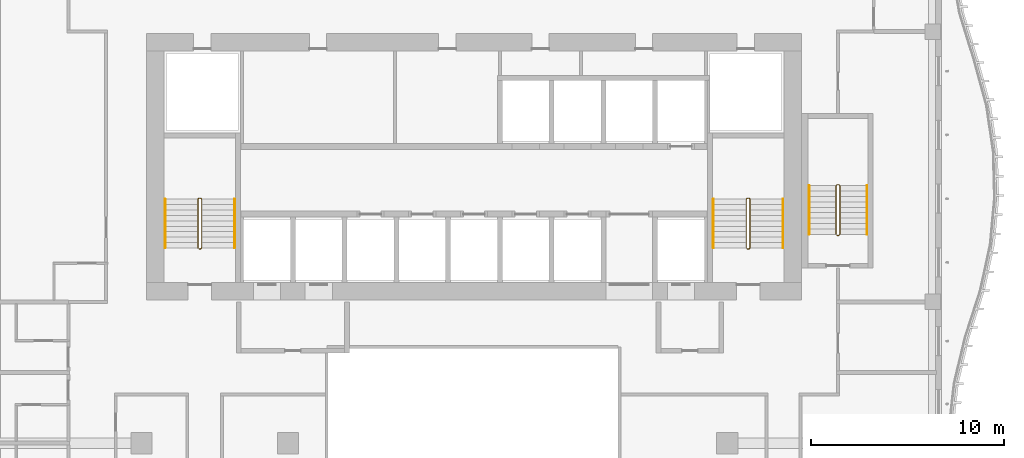
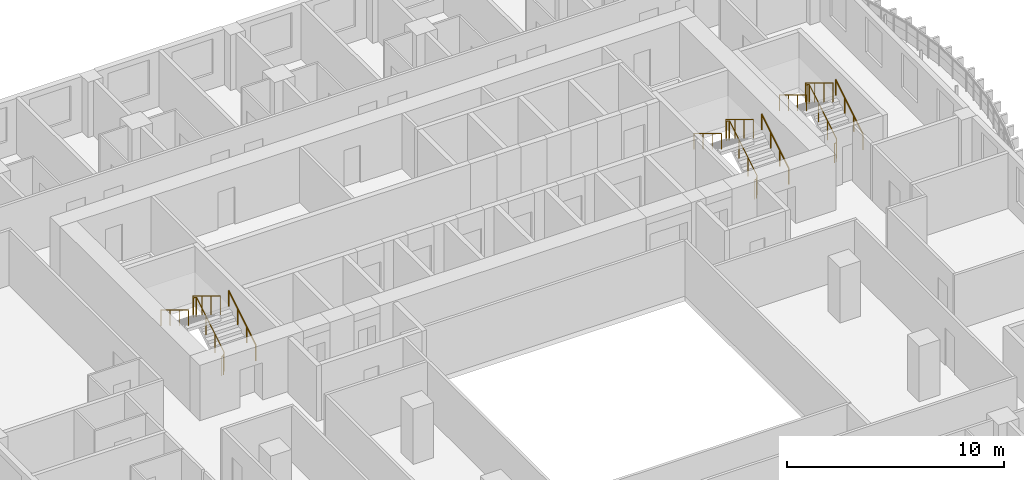
# One storey, part 20 of 21: 9 railings.
"""IFC4 building model written with IfcOpenShell, lengths in metres."""

from ifc_helpers import new_model, si_unit, direction, frame, origin, origin_2d, place, context, subcontext, project, spatial, circle, extrude, material, type_object, element, save


model = new_model("IFC4")

# Units and contexts
model_context = context("Model", 3, precision=1e-05, world=origin(), true_north=direction((0.0, 1.0)))
body_context = subcontext(model_context, "Body", "Model", "MODEL_VIEW")
ifc_project = project(units=[si_unit("LENGTHUNIT", "METRE"), si_unit("AREAUNIT", "SQUARE_METRE"), si_unit("VOLUMEUNIT", "CUBIC_METRE"), si_unit("PLANEANGLEUNIT", "RADIAN"), si_unit("MASSUNIT", "GRAM", prefix="KILO")], contexts=[model_context])

# Site, building, storey
site_placement = place(None, origin())
site = spatial("IfcSite", under=ifc_project, at=site_placement, CompositionType="ELEMENT")
building_placement = place(site_placement, origin())
building = spatial("IfcBuilding", under=site, at=building_placement, Name="Kilnfold Tower and Market Hall", CompositionType="ELEMENT")
storey_placement = place(building_placement, frame((0.0, 0.0, 147.300048828125)))
storey = spatial("IfcBuildingStorey", under=building, at=storey_placement, Name="L33", CompositionType="ELEMENT", Elevation=147.300048828125)

# Railings
ifc_material_1 = material(Name="Stainless steel 316", Category="steel")
railing_type_1 = type_object("IfcRailingType", Name="CORE STAIR GUARD 1100", PredefinedType="GUARDRAIL", material=ifc_material_1)
railing_1_placement = place(storey_placement, frame((-13.199951171875, 10.75, 0.0)))
element("IfcRailing", 1, at=railing_1_placement, inside=storey, type_object=railing_type_1, Name="L33 ST1 stair guard 1", PredefinedType="GUARDRAIL", context=body_context, shape_type="SweptSolid", body=[
    extrude(circle(Radius=0.02392578125, at=origin_2d()), frame((0.0, 0.0, 1.076171875), z_axis=(1.0, 0.0, 0.0), x_axis=(0.0, 1.0, 0.0)), (0.0, 0.0, 1.0), 0.099853515625),
    extrude(circle(Radius=0.02392578125, at=origin_2d()), frame((0.099853515625, 0.0, 1.076171875), z_axis=(0.271895245746, 0.271895245746, 0.923117517265), x_axis=(-0.707106781187, 0.707106781187, 0.0)), (0.0, 0.0, 1.0), 0.18408203125),
    extrude(circle(Radius=0.02392578125, at=origin_2d()), frame((0.14990234375, 0.050048828125, 1.24609375), z_axis=(0.0, 0.85478489116, 0.518982456201), x_axis=(-1.0, 0.0, 0.0)), (0.0, 0.0, 1.0), 2.9482421875),
    extrude(circle(Radius=0.02392578125, at=origin_2d()), frame((0.14990234375, 2.570068359375, 2.77587890625), z_axis=(-0.707106781187, 0.707106781187, 0.0), x_axis=(-0.707106781187, -0.707106781187, 0.0)), (0.0, 0.0, 1.0), 0.07080078125),
    extrude(circle(Radius=0.02392578125, at=origin_2d()), frame((0.099853515625, 2.6201171875, 2.77587890625), z_axis=(-1.0, 0.0, 0.0), x_axis=(0.0, -1.0, 0.0)), (0.0, 0.0, 1.0), 0.099853515625),
    extrude(circle(Radius=0.02392578125, at=origin_2d()), frame((0.0, 2.6201171875, 2.77587890625), z_axis=(-0.271895245746, -0.271895245746, 0.923117517265), x_axis=(0.707106781187, -0.707106781187, 0.0)), (0.0, 0.0, 1.0), 0.18408203125),
    extrude(circle(Radius=0.02392578125, at=origin_2d()), frame((-0.050048828125, 2.570068359375, 2.94580078125), z_axis=(0.0, -0.85478489116, 0.518982456201), x_axis=(1.0, 0.0, 0.0)), (0.0, 0.0, 1.0), 2.9482421875),
    extrude(circle(Radius=0.02099609375, at=origin_2d()), origin(), (0.0, 0.0, 1.0), 1.052001953125),
    extrude(circle(Radius=0.02099609375, at=origin_2d()), frame((0.099853515625, 0.0, 0.0)), (0.0, 0.0, 1.0), 1.052001953125),
    extrude(circle(Radius=0.02099609375, at=origin_2d()), frame((0.14990234375, 0.050048828125, 0.169921875)), (0.0, 0.0, 1.0), 1.052001953125),
    extrude(circle(Radius=0.02099609375, at=origin_2d()), frame((0.14990234375, 0.89013671875, 0.679931640625)), (0.0, 0.0, 1.0), 1.052001953125),
    extrude(circle(Radius=0.02099609375, at=origin_2d()), frame((0.14990234375, 1.72998046875, 1.18994140625)), (0.0, 0.0, 1.0), 1.052001953125),
    extrude(circle(Radius=0.02099609375, at=origin_2d()), frame((0.14990234375, 2.570068359375, 1.699951171875)), (0.0, 0.0, 1.0), 1.052001953125),
    extrude(circle(Radius=0.02099609375, at=origin_2d()), frame((0.099853515625, 2.6201171875, 1.699951171875)), (0.0, 0.0, 1.0), 1.052001953125),
    extrude(circle(Radius=0.02099609375, at=origin_2d()), frame((0.0, 2.6201171875, 1.699951171875)), (0.0, 0.0, 1.0), 1.052001953125),
    extrude(circle(Radius=0.02099609375, at=origin_2d()), frame((-0.050048828125, 2.570068359375, 1.869873046875)), (0.0, 0.0, 1.0), 1.052001953125),
    extrude(circle(Radius=0.02099609375, at=origin_2d()), frame((-0.050048828125, 1.72998046875, 2.3798828125)), (0.0, 0.0, 1.0), 1.052001953125),
    extrude(circle(Radius=0.02099609375, at=origin_2d()), frame((-0.050048828125, 0.89013671875, 2.889892578125)), (0.0, 0.0, 1.0), 1.052001953125),
    extrude(circle(Radius=0.02099609375, at=origin_2d()), frame((-0.050048828125, 0.050048828125, 3.39990234375)), (0.0, 0.0, 1.0), 1.052001953125),
])
railing_2_placement = place(storey_placement, frame((15.199951171875, 10.75, 0.0)))
element("IfcRailing", 2, at=railing_2_placement, inside=storey, type_object=railing_type_1, Name="L33 ST2 stair guard 1", PredefinedType="GUARDRAIL", context=body_context, shape_type="SweptSolid", body=[
    extrude(circle(Radius=0.02392578125, at=origin_2d()), frame((0.0, 0.0, 1.076171875), z_axis=(1.0, 0.0, 0.0), x_axis=(0.0, 1.0, 0.0)), (0.0, 0.0, 1.0), 0.10009765625),
    extrude(circle(Radius=0.02392578125, at=origin_2d()), frame((0.10009765625, 0.0, 1.076171875), z_axis=(0.271895245746, 0.271895245746, 0.923117517265), x_axis=(-0.707106781187, 0.707106781187, 0.0)), (0.0, 0.0, 1.0), 0.18408203125),
    extrude(circle(Radius=0.02392578125, at=origin_2d()), frame((0.150146484375, 0.050048828125, 1.24609375), z_axis=(0.0, 0.85478489116, 0.518982456201), x_axis=(-1.0, 0.0, 0.0)), (0.0, 0.0, 1.0), 2.9482421875),
    extrude(circle(Radius=0.02392578125, at=origin_2d()), frame((0.150146484375, 2.570068359375, 2.77587890625), z_axis=(-0.707106781187, 0.707106781187, 0.0), x_axis=(-0.707106781187, -0.707106781187, 0.0)), (0.0, 0.0, 1.0), 0.07080078125),
    extrude(circle(Radius=0.02392578125, at=origin_2d()), frame((0.10009765625, 2.6201171875, 2.77587890625), z_axis=(-1.0, 0.0, 0.0), x_axis=(0.0, -1.0, 0.0)), (0.0, 0.0, 1.0), 0.10009765625),
    extrude(circle(Radius=0.02392578125, at=origin_2d()), frame((0.0, 2.6201171875, 2.77587890625), z_axis=(-0.271895245746, -0.271895245746, 0.923117517265), x_axis=(0.707106781187, -0.707106781187, 0.0)), (0.0, 0.0, 1.0), 0.18408203125),
    extrude(circle(Radius=0.02392578125, at=origin_2d()), frame((-0.050048828125, 2.570068359375, 2.94580078125), z_axis=(0.0, -0.85478489116, 0.518982456201), x_axis=(1.0, 0.0, 0.0)), (0.0, 0.0, 1.0), 2.9482421875),
    extrude(circle(Radius=0.02099609375, at=origin_2d()), origin(), (0.0, 0.0, 1.0), 1.052001953125),
    extrude(circle(Radius=0.02099609375, at=origin_2d()), frame((0.10009765625, 0.0, 0.0)), (0.0, 0.0, 1.0), 1.052001953125),
    extrude(circle(Radius=0.02099609375, at=origin_2d()), frame((0.150146484375, 0.050048828125, 0.169921875)), (0.0, 0.0, 1.0), 1.052001953125),
    extrude(circle(Radius=0.02099609375, at=origin_2d()), frame((0.150146484375, 0.89013671875, 0.679931640625)), (0.0, 0.0, 1.0), 1.052001953125),
    extrude(circle(Radius=0.02099609375, at=origin_2d()), frame((0.150146484375, 1.72998046875, 1.18994140625)), (0.0, 0.0, 1.0), 1.052001953125),
    extrude(circle(Radius=0.02099609375, at=origin_2d()), frame((0.150146484375, 2.570068359375, 1.699951171875)), (0.0, 0.0, 1.0), 1.052001953125),
    extrude(circle(Radius=0.02099609375, at=origin_2d()), frame((0.10009765625, 2.6201171875, 1.699951171875)), (0.0, 0.0, 1.0), 1.052001953125),
    extrude(circle(Radius=0.02099609375, at=origin_2d()), frame((0.0, 2.6201171875, 1.699951171875)), (0.0, 0.0, 1.0), 1.052001953125),
    extrude(circle(Radius=0.02099609375, at=origin_2d()), frame((-0.050048828125, 2.570068359375, 1.869873046875)), (0.0, 0.0, 1.0), 1.052001953125),
    extrude(circle(Radius=0.02099609375, at=origin_2d()), frame((-0.050048828125, 1.72998046875, 2.3798828125)), (0.0, 0.0, 1.0), 1.052001953125),
    extrude(circle(Radius=0.02099609375, at=origin_2d()), frame((-0.050048828125, 0.89013671875, 2.889892578125)), (0.0, 0.0, 1.0), 1.052001953125),
    extrude(circle(Radius=0.02099609375, at=origin_2d()), frame((-0.050048828125, 0.050048828125, 3.39990234375)), (0.0, 0.0, 1.0), 1.052001953125),
])
railing_3_placement = place(storey_placement, frame((19.85009765625, 11.449951171875, 0.0)))
element("IfcRailing", 3, at=railing_3_placement, inside=storey, type_object=railing_type_1, Name="L33 ST5 stair guard 1", PredefinedType="GUARDRAIL", context=body_context, shape_type="SweptSolid", body=[
    extrude(circle(Radius=0.02392578125, at=origin_2d()), frame((0.0, 0.0, 1.076171875), z_axis=(1.0, 0.0, 0.0), x_axis=(0.0, 1.0, 0.0)), (0.0, 0.0, 1.0), 0.099853515625),
    extrude(circle(Radius=0.02392578125, at=origin_2d()), frame((0.099853515625, 0.0, 1.076171875), z_axis=(0.271895245746, 0.271895245746, 0.923117517265), x_axis=(-0.707106781187, 0.707106781187, 0.0)), (0.0, 0.0, 1.0), 0.18408203125),
    extrude(circle(Radius=0.02392578125, at=origin_2d()), frame((0.14990234375, 0.050048828125, 1.24609375), z_axis=(0.0, 0.85478489116, 0.518982456201), x_axis=(-1.0, 0.0, 0.0)), (0.0, 0.0, 1.0), 2.9482421875),
    extrude(circle(Radius=0.02392578125, at=origin_2d()), frame((0.14990234375, 2.570068359375, 2.77587890625), z_axis=(-0.707106781187, 0.707106781187, 0.0), x_axis=(-0.707106781187, -0.707106781187, 0.0)), (0.0, 0.0, 1.0), 0.07080078125),
    extrude(circle(Radius=0.02392578125, at=origin_2d()), frame((0.099853515625, 2.6201171875, 2.77587890625), z_axis=(-1.0, 0.0, 0.0), x_axis=(0.0, -1.0, 0.0)), (0.0, 0.0, 1.0), 0.099853515625),
    extrude(circle(Radius=0.02392578125, at=origin_2d()), frame((0.0, 2.6201171875, 2.77587890625), z_axis=(-0.271895245746, -0.271895245746, 0.923117517265), x_axis=(0.707106781187, -0.707106781187, 0.0)), (0.0, 0.0, 1.0), 0.18408203125),
    extrude(circle(Radius=0.02392578125, at=origin_2d()), frame((-0.050048828125, 2.570068359375, 2.94580078125), z_axis=(0.0, -0.85478489116, 0.518982456201), x_axis=(1.0, 0.0, 0.0)), (0.0, 0.0, 1.0), 2.9482421875),
    extrude(circle(Radius=0.02099609375, at=origin_2d()), origin(), (0.0, 0.0, 1.0), 1.052001953125),
    extrude(circle(Radius=0.02099609375, at=origin_2d()), frame((0.099853515625, 0.0, 0.0)), (0.0, 0.0, 1.0), 1.052001953125),
    extrude(circle(Radius=0.02099609375, at=origin_2d()), frame((0.14990234375, 0.050048828125, 0.169921875)), (0.0, 0.0, 1.0), 1.052001953125),
    extrude(circle(Radius=0.02099609375, at=origin_2d()), frame((0.14990234375, 0.89013671875, 0.679931640625)), (0.0, 0.0, 1.0), 1.052001953125),
    extrude(circle(Radius=0.02099609375, at=origin_2d()), frame((0.14990234375, 1.72998046875, 1.18994140625)), (0.0, 0.0, 1.0), 1.052001953125),
    extrude(circle(Radius=0.02099609375, at=origin_2d()), frame((0.14990234375, 2.570068359375, 1.699951171875)), (0.0, 0.0, 1.0), 1.052001953125),
    extrude(circle(Radius=0.02099609375, at=origin_2d()), frame((0.099853515625, 2.6201171875, 1.699951171875)), (0.0, 0.0, 1.0), 1.052001953125),
    extrude(circle(Radius=0.02099609375, at=origin_2d()), frame((0.0, 2.6201171875, 1.699951171875)), (0.0, 0.0, 1.0), 1.052001953125),
    extrude(circle(Radius=0.02099609375, at=origin_2d()), frame((-0.050048828125, 2.570068359375, 1.869873046875)), (0.0, 0.0, 1.0), 1.052001953125),
    extrude(circle(Radius=0.02099609375, at=origin_2d()), frame((-0.050048828125, 1.72998046875, 2.3798828125)), (0.0, 0.0, 1.0), 1.052001953125),
    extrude(circle(Radius=0.02099609375, at=origin_2d()), frame((-0.050048828125, 0.89013671875, 2.889892578125)), (0.0, 0.0, 1.0), 1.052001953125),
    extrude(circle(Radius=0.02099609375, at=origin_2d()), frame((-0.050048828125, 0.050048828125, 3.39990234375)), (0.0, 0.0, 1.0), 1.052001953125),
])
ifc_material_2 = material(Name="Stainless steel 316", Category="steel")
railing_type_2 = type_object("IfcRailingType", Name="CORE STAIR HANDRAIL 900", PredefinedType="HANDRAIL", material=ifc_material_2)
railing_4_placement = place(storey_placement, frame((-11.35009765625, 10.800048828125, 0.169921875)))
element("IfcRailing", 4, at=railing_4_placement, inside=storey, type_object=railing_type_2, Name="L33 ST1 stair handrail 1", PredefinedType="HANDRAIL", context=body_context, shape_type="SweptSolid", body=[
    extrude(circle(Radius=0.02392578125, at=origin_2d()), frame((0.0, 0.0, 0.8759765625), z_axis=(0.0, 0.85478489116, 0.518982456201), x_axis=(-1.0, 0.0, 0.0)), (0.0, 0.0, 1.0), 2.9482421875),
    extrude(circle(Radius=0.02099609375, at=origin_2d()), origin(), (0.0, 0.0, 1.0), 0.851806640625),
    extrude(circle(Radius=0.02099609375, at=origin_2d()), frame((0.0, 0.840087890625, 0.510009765625)), (0.0, 0.0, 1.0), 0.851806640625),
    extrude(circle(Radius=0.02099609375, at=origin_2d()), frame((0.0, 1.679931640625, 1.02001953125)), (0.0, 0.0, 1.0), 0.851806640625),
    extrude(circle(Radius=0.02099609375, at=origin_2d()), frame((0.0, 2.52001953125, 1.530029296875)), (0.0, 0.0, 1.0), 0.851806640625),
])
railing_5_placement = place(storey_placement, frame((-14.949951171875, 13.320068359375, 1.869873046875)))
element("IfcRailing", 5, at=railing_5_placement, inside=storey, type_object=railing_type_2, Name="L33 ST1 stair handrail 2", PredefinedType="HANDRAIL", context=body_context, shape_type="SweptSolid", body=[
    extrude(circle(Radius=0.02392578125, at=origin_2d()), frame((0.0, 0.0, 0.8759765625), z_axis=(0.0, -0.85478489116, 0.518982456201), x_axis=(1.0, 0.0, 0.0)), (0.0, 0.0, 1.0), 2.9482421875),
    extrude(circle(Radius=0.02099609375, at=origin_2d()), origin(), (0.0, 0.0, 1.0), 0.851806640625),
    extrude(circle(Radius=0.02099609375, at=origin_2d()), frame((0.0, -0.840087890625, 0.510009765625)), (0.0, 0.0, 1.0), 0.851806640625),
    extrude(circle(Radius=0.02099609375, at=origin_2d()), frame((0.0, -1.679931640625, 1.02001953125)), (0.0, 0.0, 1.0), 0.851806640625),
    extrude(circle(Radius=0.02099609375, at=origin_2d()), frame((0.0, -2.52001953125, 1.530029296875)), (0.0, 0.0, 1.0), 0.851806640625),
])
railing_6_placement = place(storey_placement, frame((17.050048828125, 10.800048828125, 0.169921875)))
element("IfcRailing", 6, at=railing_6_placement, inside=storey, type_object=railing_type_2, Name="L33 ST2 stair handrail 1", PredefinedType="HANDRAIL", context=body_context, shape_type="SweptSolid", body=[
    extrude(circle(Radius=0.02392578125, at=origin_2d()), frame((0.0, 0.0, 0.8759765625), z_axis=(0.0, 0.85478489116, 0.518982456201), x_axis=(-1.0, 0.0, 0.0)), (0.0, 0.0, 1.0), 2.9482421875),
    extrude(circle(Radius=0.02099609375, at=origin_2d()), origin(), (0.0, 0.0, 1.0), 0.851806640625),
    extrude(circle(Radius=0.02099609375, at=origin_2d()), frame((0.0, 0.840087890625, 0.510009765625)), (0.0, 0.0, 1.0), 0.851806640625),
    extrude(circle(Radius=0.02099609375, at=origin_2d()), frame((0.0, 1.679931640625, 1.02001953125)), (0.0, 0.0, 1.0), 0.851806640625),
    extrude(circle(Radius=0.02099609375, at=origin_2d()), frame((0.0, 2.52001953125, 1.530029296875)), (0.0, 0.0, 1.0), 0.851806640625),
])
railing_7_placement = place(storey_placement, frame((13.449951171875, 13.320068359375, 1.869873046875)))
element("IfcRailing", 7, at=railing_7_placement, inside=storey, type_object=railing_type_2, Name="L33 ST2 stair handrail 2", PredefinedType="HANDRAIL", context=body_context, shape_type="SweptSolid", body=[
    extrude(circle(Radius=0.02392578125, at=origin_2d()), frame((0.0, 0.0, 0.8759765625), z_axis=(0.0, -0.85478489116, 0.518982456201), x_axis=(1.0, 0.0, 0.0)), (0.0, 0.0, 1.0), 2.9482421875),
    extrude(circle(Radius=0.02099609375, at=origin_2d()), origin(), (0.0, 0.0, 1.0), 0.851806640625),
    extrude(circle(Radius=0.02099609375, at=origin_2d()), frame((0.0, -0.840087890625, 0.510009765625)), (0.0, 0.0, 1.0), 0.851806640625),
    extrude(circle(Radius=0.02099609375, at=origin_2d()), frame((0.0, -1.679931640625, 1.02001953125)), (0.0, 0.0, 1.0), 0.851806640625),
    extrude(circle(Radius=0.02099609375, at=origin_2d()), frame((0.0, -2.52001953125, 1.530029296875)), (0.0, 0.0, 1.0), 0.851806640625),
])
railing_8_placement = place(storey_placement, frame((21.39990234375, 11.5, 0.169921875)))
element("IfcRailing", 8, at=railing_8_placement, inside=storey, type_object=railing_type_2, Name="L33 ST5 stair handrail 1", PredefinedType="HANDRAIL", context=body_context, shape_type="SweptSolid", body=[
    extrude(circle(Radius=0.02392578125, at=origin_2d()), frame((0.0, 0.0, 0.8759765625), z_axis=(0.0, 0.85478489116, 0.518982456201), x_axis=(-1.0, 0.0, 0.0)), (0.0, 0.0, 1.0), 2.9482421875),
    extrude(circle(Radius=0.02099609375, at=origin_2d()), origin(), (0.0, 0.0, 1.0), 0.851806640625),
    extrude(circle(Radius=0.02099609375, at=origin_2d()), frame((0.0, 0.840087890625, 0.510009765625)), (0.0, 0.0, 1.0), 0.851806640625),
    extrude(circle(Radius=0.02099609375, at=origin_2d()), frame((0.0, 1.679931640625, 1.02001953125)), (0.0, 0.0, 1.0), 0.851806640625),
    extrude(circle(Radius=0.02099609375, at=origin_2d()), frame((0.0, 2.52001953125, 1.530029296875)), (0.0, 0.0, 1.0), 0.851806640625),
])
railing_9_placement = place(storey_placement, frame((18.39990234375, 14.02001953125, 1.869873046875)))
element("IfcRailing", 9, at=railing_9_placement, inside=storey, type_object=railing_type_2, Name="L33 ST5 stair handrail 2", PredefinedType="HANDRAIL", context=body_context, shape_type="SweptSolid", body=[
    extrude(circle(Radius=0.02392578125, at=origin_2d()), frame((0.0, 0.0, 0.8759765625), z_axis=(0.0, -0.85478489116, 0.518982456201), x_axis=(1.0, 0.0, 0.0)), (0.0, 0.0, 1.0), 2.9482421875),
    extrude(circle(Radius=0.02099609375, at=origin_2d()), origin(), (0.0, 0.0, 1.0), 0.851806640625),
    extrude(circle(Radius=0.02099609375, at=origin_2d()), frame((0.0, -0.840087890625, 0.510009765625)), (0.0, 0.0, 1.0), 0.851806640625),
    extrude(circle(Radius=0.02099609375, at=origin_2d()), frame((0.0, -1.679931640625, 1.02001953125)), (0.0, 0.0, 1.0), 0.851806640625),
    extrude(circle(Radius=0.02099609375, at=origin_2d()), frame((0.0, -2.52001953125, 1.530029296875)), (0.0, 0.0, 1.0), 0.851806640625),
])

save(model, "model.ifc")
